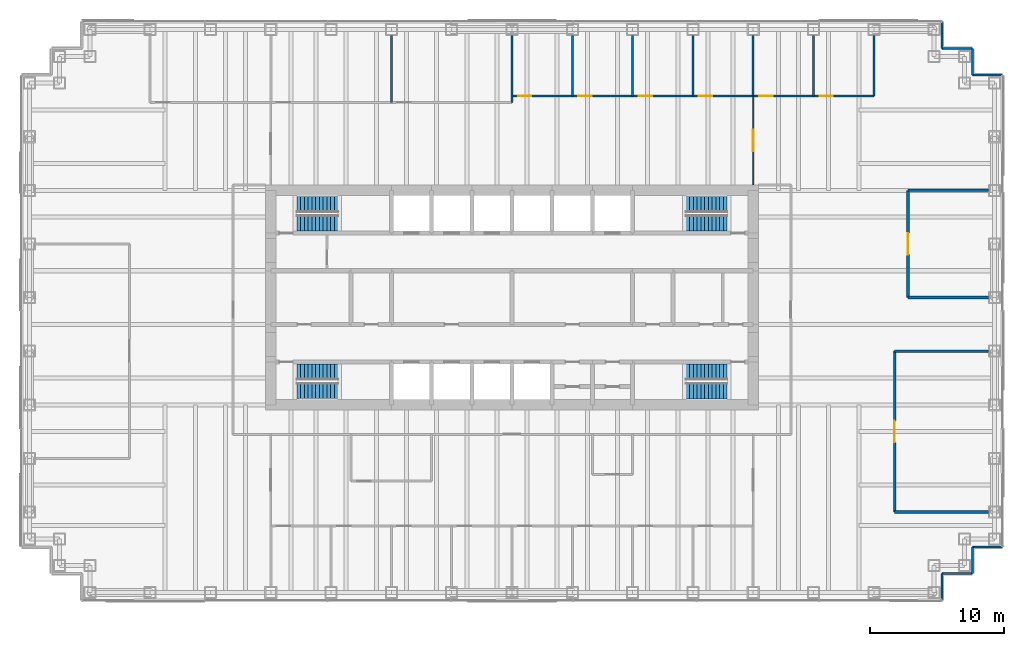
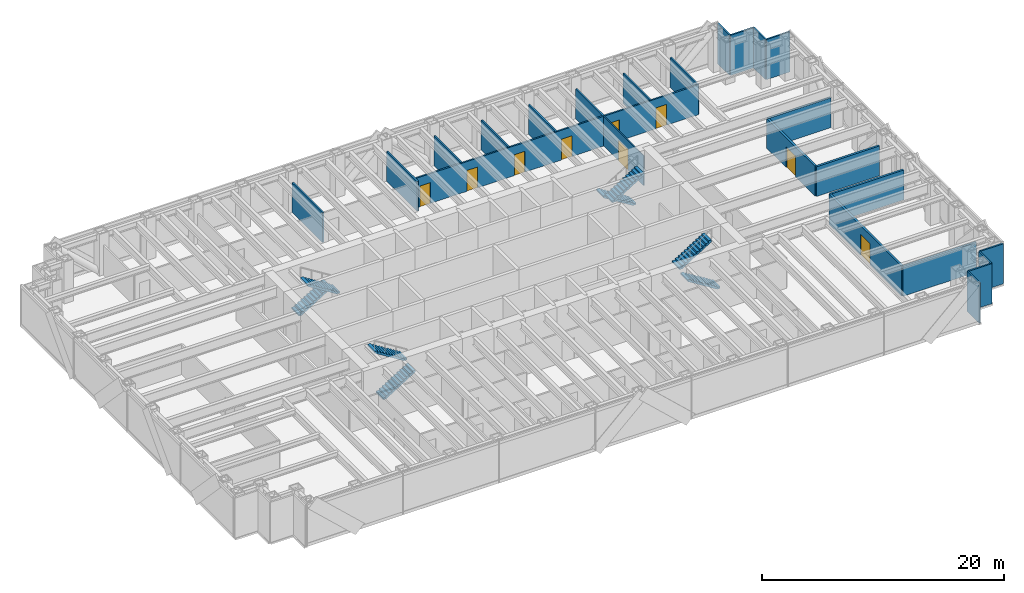
# One storey, part 13 of 14: 24 walls, 9 doors, 8 stair flights, 9 openings, 4 elements without a shape of their own.
"""IFC4 building model written with IfcOpenShell, lengths in metres."""

from ifc_helpers import new_model, si_unit, direction, frame, frame_2d, origin, place, context, subcontext, project, spatial, polyline, rectangle, outline, extrude, material, layer, layer_set, type_object, element, fill, aggregate, save


model = new_model("IFC4")

# Units and contexts
model_context = context("Model", 3, precision=1e-05, world=origin(), true_north=direction((0.0, 1.0)))
body_context = subcontext(model_context, "Body", "Model", "MODEL_VIEW")
ifc_project = project(units=[si_unit("LENGTHUNIT", "METRE"), si_unit("AREAUNIT", "SQUARE_METRE"), si_unit("VOLUMEUNIT", "CUBIC_METRE"), si_unit("PLANEANGLEUNIT", "RADIAN"), si_unit("MASSUNIT", "GRAM", prefix="KILO")], contexts=[model_context])

# Site, building, storey
site_placement = place(None, origin())
site = spatial("IfcSite", under=ifc_project, at=site_placement, CompositionType="ELEMENT")
building_placement = place(site_placement, origin())
building = spatial("IfcBuilding", under=site, at=building_placement, Name="Rheinbord Bourse Tower", CompositionType="ELEMENT")
storey_placement = place(building_placement, frame((0.0, 0.0, 211.0)))
storey = spatial("IfcBuildingStorey", under=building, at=storey_placement, Name="L47", CompositionType="ELEMENT", Elevation=211.0)

# Walls
ifc_material_1 = material(Name="Acoustic gypsum board partition", Category="gypsum board")
ifc_layer_1 = layer(ifc_material_1, 0.199951171875)
ifc_layer_set_1 = layer_set([ifc_layer_1], Name="ACOUSTIC PARTITION 200")
wall_type_1 = type_object("IfcWallType", Name="ACOUSTIC PARTITION 200", PredefinedType="PARTITIONING", material=ifc_layer_set_1)
for number, where, z_axis, x_axis, name in (
    (1, (64.550048828125, 8.0, 0.0), (0.0, 0.0, 1.0), (1.0, 0.0, 0.0), "Partition L47-02"),
    (2, (64.550048828125, 20.0, 0.0), (0.0, 0.0, 1.0), (1.0, 0.0, 0.0), "Partition L47-09"),
):
    element("IfcWall", number, at=place(storey_placement, frame(where, z_axis=z_axis, x_axis=x_axis)), inside=storey, type_object=wall_type_1, Name=name, PredefinedType="PARTITIONING", context=body_context, shape_type="SweptSolid", body=[
        extrude(rectangle(XDim=7.0, YDim=0.199951171875, at=frame_2d((3.5, 0.0))), origin(), (0.0, 0.0, 1.0), 3.0),
    ])
for number, where, z_axis, x_axis, name in (
    (3, (65.550048828125, 24.0, 0.0), (0.0, 0.0, 1.0), (1.0, 0.0, 0.0), "Partition L47-10"),
    (4, (65.550048828125, 32.0, 0.0), (0.0, 0.0, 1.0), (1.0, 0.0, 0.0), "Partition L47-12"),
):
    element("IfcWall", number, at=place(storey_placement, frame(where, z_axis=z_axis, x_axis=x_axis)), inside=storey, type_object=wall_type_1, Name=name, PredefinedType="PARTITIONING", context=body_context, shape_type="SweptSolid", body=[
        extrude(rectangle(XDim=6.0, YDim=0.199951171875, at=frame_2d((3.0, 0.0))), origin(), (0.0, 0.0, 1.0), 3.0),
    ])

# Wall, opening, door
wall_1_placement = place(storey_placement, frame((64.550048828125, 8.0, 0.0), z_axis=(0.0, 0.0, 1.0), x_axis=(0.0, 1.0, 0.0)))
wall_1 = element("IfcWall", 5, at=wall_1_placement, inside=storey, type_object=wall_type_1, Name="Partition L47-47", PredefinedType="PARTITIONING", context=body_context, shape_type="SweptSolid", body=[
    extrude(rectangle(XDim=12.0, YDim=0.199951171875, at=frame_2d((6.0, 0.0))), origin(), (0.0, 0.0, 1.0), 3.0),
])
opening_1_placement = place(wall_1_placement, frame((5.199951171875, 0.0, 0.0)))
opening_1 = element("IfcOpeningElement", 6, at=opening_1_placement, cuts=wall_1, Name="Opening 47D11", PredefinedType="OPENING", context=body_context, shape_type="SweptSolid", body=[
    extrude(rectangle(XDim=1.60009765625, YDim=2.10009765625, at=frame_2d((0.800048828125, 1.050048828125))), frame((0.0, 0.10986328125, 0.0), z_axis=(0.0, -1.0, 0.0), x_axis=(1.0, 0.0, 0.0)), (0.0, 0.0, 1.0), 0.219970703125),
])
ifc_material_2 = material(Name="Timber door", Category="wood")
door_type_1 = type_object("IfcDoorType", Name="DOUBLE ROOM DOOR 1600", OperationType="DOUBLE_DOOR_DOUBLE_SWING", PredefinedType="DOOR", material=ifc_material_2)
door_1_placement = place(opening_1_placement, origin())
door_1 = element("IfcDoor", 7, at=door_1_placement, inside=storey, type_object=door_type_1, Name="Conference room door L47", OperationType="SINGLE_SWING_LEFT", OverallHeight=2.10009765625, OverallWidth=1.60009765625, PredefinedType="DOOR", context=body_context, shape_type="SweptSolid", body=[
    extrude(rectangle(XDim=1.60009765625, YDim=2.10009765625, at=frame_2d((0.800048828125, 1.050048828125))), frame((0.0, 0.02490234375, 0.0), z_axis=(0.0, -1.0, 0.0), x_axis=(1.0, 0.0, 0.0)), (0.0, 0.0, 1.0), 0.050048828125),
])
fill(opening_1, door_1)

wall_2_placement = place(storey_placement, frame((65.550048828125, 24.0, 0.0), z_axis=(0.0, 0.0, 1.0), x_axis=(0.0, 1.0, 0.0)))
wall_2 = element("IfcWall", 8, at=wall_2_placement, inside=storey, type_object=wall_type_1, Name="Partition L47-48", PredefinedType="PARTITIONING", context=body_context, shape_type="SweptSolid", body=[
    extrude(rectangle(XDim=8.0, YDim=0.199951171875, at=frame_2d((4.0, 0.0))), origin(), (0.0, 0.0, 1.0), 3.0),
])
opening_2_placement = place(wall_2_placement, frame((3.199951171875, 0.0, 0.0)))
opening_2 = element("IfcOpeningElement", 9, at=opening_2_placement, cuts=wall_2, Name="Opening 47D13", PredefinedType="OPENING", context=body_context, shape_type="SweptSolid", body=[
    extrude(rectangle(XDim=1.60009765625, YDim=2.10009765625, at=frame_2d((0.800048828125, 1.050048828125))), frame((0.0, 0.10986328125, 0.0), z_axis=(0.0, -1.0, 0.0), x_axis=(1.0, 0.0, 0.0)), (0.0, 0.0, 1.0), 0.219970703125),
])
door_2_placement = place(opening_2_placement, origin())
door_2 = element("IfcDoor", 10, at=door_2_placement, inside=storey, type_object=door_type_1, Name="Conference room door L47", OperationType="SINGLE_SWING_LEFT", OverallHeight=2.10009765625, OverallWidth=1.60009765625, PredefinedType="DOOR", context=body_context, shape_type="SweptSolid", body=[
    extrude(rectangle(XDim=1.60009765625, YDim=2.10009765625, at=frame_2d((0.800048828125, 1.050048828125))), frame((0.0, 0.02490234375, 0.0), z_axis=(0.0, -1.0, 0.0), x_axis=(1.0, 0.0, 0.0)), (0.0, 0.0, 1.0), 0.050048828125),
])
fill(opening_2, door_2)

# Walls
ifc_material_3 = material(Name="Black metal rainscreen panel", Category="aluminium")
ifc_layer_2 = layer(ifc_material_3, 0.14990234375)
ifc_layer_set_2 = layer_set([ifc_layer_2], Name="CORNER PIER CLADDING 150")
wall_type_2 = type_object("IfcWallType", Name="CORNER PIER CLADDING 150", PredefinedType="ELEMENTEDWALL", material=ifc_layer_set_2)
wall_3_placement = place(storey_placement, frame((68.10009765625, 1.39990234375, 0.0), z_axis=(0.0, 0.0, 1.0), x_axis=(0.0, 1.0, 0.0)))
element("IfcWall", 11, at=wall_3_placement, inside=storey, type_object=wall_type_2, Name="Corner pier cladding L47 2", PredefinedType="ELEMENTEDWALL", context=body_context, shape_type="SweptSolid", body=[
    extrude(rectangle(XDim=2.0, YDim=0.14990234375, at=frame_2d((1.0, 0.0))), origin(), (0.0, 0.0, 1.0), 4.0400390625),
])
wall_4_placement = place(storey_placement, frame((68.10009765625, 3.39990234375, 0.0), z_axis=(0.0, 0.0, 1.0), x_axis=(1.0, 0.0, 0.0)))
element("IfcWall", 12, at=wall_4_placement, inside=storey, type_object=wall_type_2, Name="Corner pier cladding L47 3", PredefinedType="ELEMENTEDWALL", context=body_context, shape_type="SweptSolid", body=[
    extrude(rectangle(XDim=2.25, YDim=0.14990234375, at=frame_2d((1.125, 0.0))), origin(), (0.0, 0.0, 1.0), 4.0400390625),
])
wall_5_placement = place(storey_placement, frame((70.35009765625, 3.39990234375, 0.0), z_axis=(0.0, 0.0, 1.0), x_axis=(0.0, 1.0, 0.0)))
element("IfcWall", 13, at=wall_5_placement, inside=storey, type_object=wall_type_2, Name="Corner pier cladding L47 4", PredefinedType="ELEMENTEDWALL", context=body_context, shape_type="SweptSolid", body=[
    extrude(rectangle(XDim=2.0, YDim=0.14990234375, at=frame_2d((1.0, 0.0))), origin(), (0.0, 0.0, 1.0), 4.0400390625),
])
for number, where, z_axis, x_axis, name in (
    (14, (70.35009765625, 5.39990234375, 0.0), (0.0, 0.0, 1.0), (1.0, 0.0, 0.0), "Corner pier cladding L47 5"),
    (15, (72.60009765625, 40.60009765625, 0.0), (0.0, 0.0, 1.0), (-1.0, 0.0, 0.0), "Corner pier cladding L47 7"),
):
    element("IfcWall", number, at=place(storey_placement, frame(where, z_axis=z_axis, x_axis=x_axis)), inside=storey, type_object=wall_type_2, Name=name, PredefinedType="ELEMENTEDWALL", context=body_context, shape_type="SweptSolid", body=[
        extrude(rectangle(XDim=2.25, YDim=0.14990234375, at=frame_2d((1.125, 0.0))), origin(), (0.0, 0.0, 1.0), 4.0400390625),
    ])
wall_6_placement = place(storey_placement, frame((70.35009765625, 40.60009765625, 0.0), z_axis=(0.0, 0.0, 1.0), x_axis=(0.0, 1.0, 0.0)))
element("IfcWall", 16, at=wall_6_placement, inside=storey, type_object=wall_type_2, Name="Corner pier cladding L47 8", PredefinedType="ELEMENTEDWALL", context=body_context, shape_type="SweptSolid", body=[
    extrude(rectangle(XDim=2.0, YDim=0.14990234375, at=frame_2d((1.0, 0.0))), origin(), (0.0, 0.0, 1.0), 4.0400390625),
])
wall_7_placement = place(storey_placement, frame((70.35009765625, 42.60009765625, 0.0), z_axis=(0.0, 0.0, 1.0), x_axis=(-1.0, 0.0, 0.0)))
element("IfcWall", 17, at=wall_7_placement, inside=storey, type_object=wall_type_2, Name="Corner pier cladding L47 9", PredefinedType="ELEMENTEDWALL", context=body_context, shape_type="SweptSolid", body=[
    extrude(rectangle(XDim=2.25, YDim=0.14990234375, at=frame_2d((1.125, 0.0))), origin(), (0.0, 0.0, 1.0), 4.0400390625),
])
wall_8_placement = place(storey_placement, frame((68.10009765625, 42.60009765625, 0.0), z_axis=(0.0, 0.0, 1.0), x_axis=(0.0, 1.0, 0.0)))
element("IfcWall", 18, at=wall_8_placement, inside=storey, type_object=wall_type_2, Name="Corner pier cladding L47 10", PredefinedType="ELEMENTEDWALL", context=body_context, shape_type="SweptSolid", body=[
    extrude(rectangle(XDim=2.0, YDim=0.14990234375, at=frame_2d((1.0, 0.0))), origin(), (0.0, 0.0, 1.0), 4.0400390625),
])

# Wall, opening, door
ifc_material_4 = material(Name="Toughened laminated glass partition", Category="glass")
ifc_layer_3 = layer(ifc_material_4, 0.10009765625)
ifc_layer_set_3 = layer_set([ifc_layer_3], Name="GLAZED PARTITION 100")
wall_type_3 = type_object("IfcWallType", Name="GLAZED PARTITION 100", PredefinedType="PARTITIONING", material=ifc_layer_set_3)
wall_9_placement = place(storey_placement, frame((54.0, 32.39990234375, 0.0), z_axis=(0.0, 0.0, 1.0), x_axis=(0.0, 1.0, 0.0)))
wall_9 = element("IfcWall", 19, at=wall_9_placement, inside=storey, type_object=wall_type_3, Name="Partition L47-42", PredefinedType="PARTITIONING", context=body_context, shape_type="SweptSolid", body=[
    extrude(rectangle(XDim=6.650146484375, YDim=0.10009765625, at=frame_2d((3.3251953125, 0.0))), origin(), (0.0, 0.0, 1.0), 3.0),
])
opening_3_placement = place(wall_9_placement, frame((2.52490234375, 0.0, 0.0)))
opening_3 = element("IfcOpeningElement", 20, at=opening_3_placement, cuts=wall_9, Name="Opening 47D26", PredefinedType="OPENING", context=body_context, shape_type="SweptSolid", body=[
    extrude(rectangle(XDim=1.60009765625, YDim=2.10009765625, at=frame_2d((0.800048828125, 1.050048828125))), frame((0.0, 0.06005859375, 0.0), z_axis=(0.0, -1.0, 0.0), x_axis=(1.0, 0.0, 0.0)), (0.0, 0.0, 1.0), 0.1201171875),
])
door_3_placement = place(opening_3_placement, origin())
door_3 = element("IfcDoor", 21, at=door_3_placement, inside=storey, type_object=door_type_1, Name="Open area door L47", OperationType="SINGLE_SWING_LEFT", OverallHeight=2.10009765625, OverallWidth=1.60009765625, PredefinedType="DOOR", context=body_context, shape_type="SweptSolid", body=[
    extrude(rectangle(XDim=1.60009765625, YDim=2.10009765625, at=frame_2d((0.800048828125, 1.050048828125))), frame((0.0, 0.02490234375, 0.0), z_axis=(0.0, -1.0, 0.0), x_axis=(1.0, 0.0, 0.0)), (0.0, 0.0, 1.0), 0.050048828125),
])
fill(opening_3, door_3)

# Wall, openings, doors
ifc_material_5 = material(Name="Gypsum board partition", Category="gypsum board")
ifc_layer_4 = layer(ifc_material_5, 0.14990234375)
ifc_layer_set_4 = layer_set([ifc_layer_4], Name="PARTITION 150")
wall_type_4 = type_object("IfcWallType", Name="PARTITION 150", PredefinedType="PARTITIONING", material=ifc_layer_set_4)
wall_10_placement = place(storey_placement, frame((36.0, 39.050048828125, 0.0), z_axis=(0.0, 0.0, 1.0), x_axis=(1.0, 0.0, 0.0)))
wall_10 = element("IfcWall", 22, at=wall_10_placement, inside=storey, type_object=wall_type_4, Name="Partition L47-16", PredefinedType="PARTITIONING", context=body_context, shape_type="SweptSolid", body=[
    extrude(rectangle(XDim=27.0, YDim=0.14990234375, at=frame_2d((13.5, 0.0))), origin(), (0.0, 0.0, 1.0), 3.0),
])
opening_4_placement = place(wall_10_placement, frame((0.449951171875, 0.0, 0.0)))
opening_4 = element("IfcOpeningElement", 23, at=opening_4_placement, cuts=wall_10, Name="Opening 47D17", PredefinedType="OPENING", context=body_context, shape_type="SweptSolid", body=[
    extrude(rectangle(XDim=1.0, YDim=2.10009765625, at=frame_2d((0.5, 1.050048828125))), frame((0.0, 0.0849609375, 0.0), z_axis=(0.0, -1.0, 0.0), x_axis=(1.0, 0.0, 0.0)), (0.0, 0.0, 1.0), 0.169921875),
])
opening_5_placement = place(wall_10_placement, frame((4.949951171875, 0.0, 0.0)))
opening_5 = element("IfcOpeningElement", 24, at=opening_5_placement, cuts=wall_10, Name="Opening 47D18", PredefinedType="OPENING", context=body_context, shape_type="SweptSolid", body=[
    extrude(rectangle(XDim=1.0, YDim=2.10009765625, at=frame_2d((0.5, 1.050048828125))), frame((0.0, 0.0849609375, 0.0), z_axis=(0.0, -1.0, 0.0), x_axis=(1.0, 0.0, 0.0)), (0.0, 0.0, 1.0), 0.169921875),
])
opening_6_placement = place(wall_10_placement, frame((9.449951171875, 0.0, 0.0)))
opening_6 = element("IfcOpeningElement", 25, at=opening_6_placement, cuts=wall_10, Name="Opening 47D19", PredefinedType="OPENING", context=body_context, shape_type="SweptSolid", body=[
    extrude(rectangle(XDim=1.0, YDim=2.10009765625, at=frame_2d((0.5, 1.050048828125))), frame((0.0, 0.0849609375, 0.0), z_axis=(0.0, -1.0, 0.0), x_axis=(1.0, 0.0, 0.0)), (0.0, 0.0, 1.0), 0.169921875),
])
opening_7_placement = place(wall_10_placement, frame((13.949951171875, 0.0, 0.0)))
opening_7 = element("IfcOpeningElement", 26, at=opening_7_placement, cuts=wall_10, Name="Opening 47D20", PredefinedType="OPENING", context=body_context, shape_type="SweptSolid", body=[
    extrude(rectangle(XDim=1.0, YDim=2.10009765625, at=frame_2d((0.5, 1.050048828125))), frame((0.0, 0.0849609375, 0.0), z_axis=(0.0, -1.0, 0.0), x_axis=(1.0, 0.0, 0.0)), (0.0, 0.0, 1.0), 0.169921875),
])
opening_8_placement = place(wall_10_placement, frame((18.449951171875, 0.0, 0.0)))
opening_8 = element("IfcOpeningElement", 27, at=opening_8_placement, cuts=wall_10, Name="Opening 47D21", PredefinedType="OPENING", context=body_context, shape_type="SweptSolid", body=[
    extrude(rectangle(XDim=1.0, YDim=2.10009765625, at=frame_2d((0.5, 1.050048828125))), frame((0.0, 0.0849609375, 0.0), z_axis=(0.0, -1.0, 0.0), x_axis=(1.0, 0.0, 0.0)), (0.0, 0.0, 1.0), 0.169921875),
])
opening_9_placement = place(wall_10_placement, frame((22.949951171875, 0.0, 0.0)))
opening_9 = element("IfcOpeningElement", 28, at=opening_9_placement, cuts=wall_10, Name="Opening 47D22", PredefinedType="OPENING", context=body_context, shape_type="SweptSolid", body=[
    extrude(rectangle(XDim=1.0, YDim=2.10009765625, at=frame_2d((0.5, 1.050048828125))), frame((0.0, 0.0849609375, 0.0), z_axis=(0.0, -1.0, 0.0), x_axis=(1.0, 0.0, 0.0)), (0.0, 0.0, 1.0), 0.169921875),
])
ifc_material_6 = material(Name="Timber door", Category="wood")
door_type_2 = type_object("IfcDoorType", Name="ROOM DOOR 1000", OperationType="SINGLE_SWING_LEFT", PredefinedType="DOOR", material=ifc_material_6)
door_4_placement = place(opening_4_placement, origin())
door_4 = element("IfcDoor", 29, at=door_4_placement, inside=storey, type_object=door_type_2, Name="Office door L47", OperationType="SINGLE_SWING_LEFT", OverallHeight=2.10009765625, OverallWidth=1.0, PredefinedType="DOOR", context=body_context, shape_type="SweptSolid", body=[
    extrude(rectangle(XDim=1.0, YDim=2.10009765625, at=frame_2d((0.5, 1.050048828125))), frame((0.0, 0.02490234375, 0.0), z_axis=(0.0, -1.0, 0.0), x_axis=(1.0, 0.0, 0.0)), (0.0, 0.0, 1.0), 0.050048828125),
])
fill(opening_4, door_4)
door_5_placement = place(opening_5_placement, origin())
door_5 = element("IfcDoor", 30, at=door_5_placement, inside=storey, type_object=door_type_2, Name="Office door L47", OperationType="SINGLE_SWING_LEFT", OverallHeight=2.10009765625, OverallWidth=1.0, PredefinedType="DOOR", context=body_context, shape_type="SweptSolid", body=[
    extrude(rectangle(XDim=1.0, YDim=2.10009765625, at=frame_2d((0.5, 1.050048828125))), frame((0.0, 0.02490234375, 0.0), z_axis=(0.0, -1.0, 0.0), x_axis=(1.0, 0.0, 0.0)), (0.0, 0.0, 1.0), 0.050048828125),
])
fill(opening_5, door_5)
door_6_placement = place(opening_6_placement, origin())
door_6 = element("IfcDoor", 31, at=door_6_placement, inside=storey, type_object=door_type_2, Name="Office door L47", OperationType="SINGLE_SWING_LEFT", OverallHeight=2.10009765625, OverallWidth=1.0, PredefinedType="DOOR", context=body_context, shape_type="SweptSolid", body=[
    extrude(rectangle(XDim=1.0, YDim=2.10009765625, at=frame_2d((0.5, 1.050048828125))), frame((0.0, 0.02490234375, 0.0), z_axis=(0.0, -1.0, 0.0), x_axis=(1.0, 0.0, 0.0)), (0.0, 0.0, 1.0), 0.050048828125),
])
fill(opening_6, door_6)
door_7_placement = place(opening_7_placement, origin())
door_7 = element("IfcDoor", 32, at=door_7_placement, inside=storey, type_object=door_type_2, Name="Office door L47", OperationType="SINGLE_SWING_RIGHT", OverallHeight=2.10009765625, OverallWidth=1.0, PredefinedType="DOOR", context=body_context, shape_type="SweptSolid", body=[
    extrude(rectangle(XDim=1.0, YDim=2.10009765625, at=frame_2d((0.5, 1.050048828125))), frame((0.0, 0.02490234375, 0.0), z_axis=(0.0, -1.0, 0.0), x_axis=(1.0, 0.0, 0.0)), (0.0, 0.0, 1.0), 0.050048828125),
])
fill(opening_7, door_7)
door_8_placement = place(opening_8_placement, origin())
door_8 = element("IfcDoor", 33, at=door_8_placement, inside=storey, type_object=door_type_2, Name="Office door L47", OperationType="SINGLE_SWING_RIGHT", OverallHeight=2.10009765625, OverallWidth=1.0, PredefinedType="DOOR", context=body_context, shape_type="SweptSolid", body=[
    extrude(rectangle(XDim=1.0, YDim=2.10009765625, at=frame_2d((0.5, 1.050048828125))), frame((0.0, 0.02490234375, 0.0), z_axis=(0.0, -1.0, 0.0), x_axis=(1.0, 0.0, 0.0)), (0.0, 0.0, 1.0), 0.050048828125),
])
fill(opening_8, door_8)
door_9_placement = place(opening_9_placement, origin())
door_9 = element("IfcDoor", 34, at=door_9_placement, inside=storey, type_object=door_type_2, Name="Office door L47", OperationType="SINGLE_SWING_RIGHT", OverallHeight=2.10009765625, OverallWidth=1.0, PredefinedType="DOOR", context=body_context, shape_type="SweptSolid", body=[
    extrude(rectangle(XDim=1.0, YDim=2.10009765625, at=frame_2d((0.5, 1.050048828125))), frame((0.0, 0.02490234375, 0.0), z_axis=(0.0, -1.0, 0.0), x_axis=(1.0, 0.0, 0.0)), (0.0, 0.0, 1.0), 0.050048828125),
])
fill(opening_9, door_9)

# Walls
for number, where, z_axis, x_axis, name in (
    (35, (27.0, 38.550048828125, 0.0), (0.0, 0.0, 1.0), (0.0, 1.0, 0.0), "Partition L47-27"),
    (36, (36.0, 38.550048828125, 0.0), (0.0, 0.0, 1.0), (0.0, 1.0, 0.0), "Partition L47-31"),
):
    element("IfcWall", number, at=place(storey_placement, frame(where, z_axis=z_axis, x_axis=x_axis)), inside=storey, type_object=wall_type_4, Name=name, PredefinedType="PARTITIONING", context=body_context, shape_type="SweptSolid", body=[
        extrude(rectangle(XDim=5.0, YDim=0.14990234375, at=frame_2d((2.5, 0.0))), origin(), (0.0, 0.0, 1.0), 3.0),
    ])
for number, where, z_axis, x_axis, name in (
    (37, (40.5, 39.050048828125, 0.0), (0.0, 0.0, 1.0), (0.0, 1.0, 0.0), "Partition L47-33"),
    (38, (45.0, 39.050048828125, 0.0), (0.0, 0.0, 1.0), (0.0, 1.0, 0.0), "Partition L47-37"),
    (39, (49.5, 39.050048828125, 0.0), (0.0, 0.0, 1.0), (0.0, 1.0, 0.0), "Partition L47-39"),
    (40, (54.0, 39.050048828125, 0.0), (0.0, 0.0, 1.0), (0.0, 1.0, 0.0), "Partition L47-43"),
    (41, (58.5, 39.050048828125, 0.0), (0.0, 0.0, 1.0), (0.0, 1.0, 0.0), "Partition L47-45"),
    (42, (63.0, 39.050048828125, 0.0), (0.0, 0.0, 1.0), (0.0, 1.0, 0.0), "Partition L47-46"),
):
    element("IfcWall", number, at=place(storey_placement, frame(where, z_axis=z_axis, x_axis=x_axis)), inside=storey, type_object=wall_type_4, Name=name, PredefinedType="PARTITIONING", context=body_context, shape_type="SweptSolid", body=[
        extrude(rectangle(XDim=4.5, YDim=0.14990234375, at=frame_2d((2.25, 0.0))), origin(), (0.0, 0.0, 1.0), 3.0),
    ])

# Stair, stair flights
ifc_material_7 = material(Name="Concrete C30/37", Category="concrete")
stair_type = type_object("IfcStairType", Name="CORE STAIR HALF TURN 4200", PredefinedType="HALF_TURN_STAIR", material=ifc_material_7)
stair_1_placement = place(storey_placement, origin())
stair_1 = element("IfcStair", 43, at=stair_1_placement, inside=storey, type_object=stair_type, Name="Stair ST1 L47, type CS6", PredefinedType="HALF_TURN_STAIR")
ifc_material_8 = material(Name="Concrete C30/37", Category="concrete")
stair_flight_type = type_object("IfcStairFlightType", Name="CORE STAIR FLIGHT 1200, 12 RISERS", PredefinedType="STRAIGHT", material=ifc_material_8)
stair_flight_1_placement = place(storey_placement, frame((19.949951171875, 17.050048828125, 0.0), z_axis=(0.0, 0.0, 1.0), x_axis=(1.0, 0.0, 0.0)))
stair_flight_1 = element("IfcStairFlight", 44, at=stair_flight_1_placement, type_object=stair_flight_type, Name="STAIR L47 ST1 F1", NumberOfRisers=12, NumberOfTreads=11, PredefinedType="STRAIGHT", RiserHeight=0.175, TreadLength=0.28, context=body_context, shape_type="SweptSolid", body=[
    extrude(outline(polyline([(0.0, 0.0), (0.0, 0.175048828125), (0.280029296875, 0.175048828125), (0.280029296875, 0.35009765625), (0.56005859375, 0.35009765625), (0.56005859375, 0.52490234375), (0.840087890625, 0.52490234375), (0.840087890625, 0.699951171875), (1.1201171875, 0.699951171875), (1.1201171875, 0.875), (1.39990234375, 0.875), (1.39990234375, 1.050048828125), (1.679931640625, 1.050048828125), (1.679931640625, 1.22509765625), (1.9599609375, 1.22509765625), (1.9599609375, 1.39990234375), (2.239990234375, 1.39990234375), (2.239990234375, 1.574951171875), (2.52001953125, 1.574951171875), (2.52001953125, 1.75), (2.800048828125, 1.75), (2.800048828125, 1.925048828125), (3.080078125, 1.925048828125), (3.080078125, 2.10009765625), (3.080078125, 1.748291015625), (0.28271484375, 0.0), (0.0, 0.0)])), frame((0.0, 0.60009765625, 0.0), z_axis=(0.0, -1.0, 0.0), x_axis=(1.0, 0.0, 0.0)), (0.0, 0.0, 1.0), 1.199951171875),
])
stair_flight_2_placement = place(storey_placement, frame((23.030029296875, 18.449951171875, 2.10009765625), z_axis=(0.0, 0.0, 1.0), x_axis=(-1.0, 0.0, 0.0)))
stair_flight_2 = element("IfcStairFlight", 45, at=stair_flight_2_placement, type_object=stair_flight_type, Name="STAIR L47 ST1 F2", NumberOfRisers=12, NumberOfTreads=11, PredefinedType="STRAIGHT", RiserHeight=0.175, TreadLength=0.28, context=body_context, shape_type="SweptSolid", body=[
    extrude(outline(polyline([(0.0, 0.0), (0.0, 0.175048828125), (0.280029296875, 0.175048828125), (0.280029296875, 0.35009765625), (0.56005859375, 0.35009765625), (0.56005859375, 0.52490234375), (0.840087890625, 0.52490234375), (0.840087890625, 0.699951171875), (1.1201171875, 0.699951171875), (1.1201171875, 0.875), (1.39990234375, 0.875), (1.39990234375, 1.050048828125), (1.679931640625, 1.050048828125), (1.679931640625, 1.22509765625), (1.9599609375, 1.22509765625), (1.9599609375, 1.39990234375), (2.239990234375, 1.39990234375), (2.239990234375, 1.574951171875), (2.52001953125, 1.574951171875), (2.52001953125, 1.75), (2.800048828125, 1.75), (2.800048828125, 1.925048828125), (3.080078125, 1.925048828125), (3.080078125, 2.10009765625), (3.080078125, 1.748291015625), (0.28271484375, 0.0), (0.0, 0.0)])), frame((0.0, 0.60009765625, 0.0), z_axis=(0.0, -1.0, 0.0), x_axis=(1.0, 0.0, 0.0)), (0.0, 0.0, 1.0), 1.199951171875),
])
aggregate(stair_1, [stair_flight_1, stair_flight_2])

stair_2_placement = place(storey_placement, origin())
stair_2 = element("IfcStair", 46, at=stair_2_placement, inside=storey, type_object=stair_type, Name="Stair ST2 L47, type CS6", PredefinedType="HALF_TURN_STAIR")
stair_flight_3_placement = place(storey_placement, frame((19.949951171875, 30.949951171875, 0.0), z_axis=(0.0, 0.0, 1.0), x_axis=(1.0, 0.0, 0.0)))
stair_flight_3 = element("IfcStairFlight", 47, at=stair_flight_3_placement, type_object=stair_flight_type, Name="STAIR L47 ST2 F1", NumberOfRisers=12, NumberOfTreads=11, PredefinedType="STRAIGHT", RiserHeight=0.175, TreadLength=0.28, context=body_context, shape_type="SweptSolid", body=[
    extrude(outline(polyline([(0.0, 0.0), (0.0, 0.175048828125), (0.280029296875, 0.175048828125), (0.280029296875, 0.35009765625), (0.56005859375, 0.35009765625), (0.56005859375, 0.52490234375), (0.840087890625, 0.52490234375), (0.840087890625, 0.699951171875), (1.1201171875, 0.699951171875), (1.1201171875, 0.875), (1.39990234375, 0.875), (1.39990234375, 1.050048828125), (1.679931640625, 1.050048828125), (1.679931640625, 1.22509765625), (1.9599609375, 1.22509765625), (1.9599609375, 1.39990234375), (2.239990234375, 1.39990234375), (2.239990234375, 1.574951171875), (2.52001953125, 1.574951171875), (2.52001953125, 1.75), (2.800048828125, 1.75), (2.800048828125, 1.925048828125), (3.080078125, 1.925048828125), (3.080078125, 2.10009765625), (3.080078125, 1.748291015625), (0.28271484375, 0.0), (0.0, 0.0)])), frame((0.0, 0.60009765625, 0.0), z_axis=(0.0, -1.0, 0.0), x_axis=(1.0, 0.0, 0.0)), (0.0, 0.0, 1.0), 1.199951171875),
])
stair_flight_4_placement = place(storey_placement, frame((23.030029296875, 29.550048828125, 2.10009765625), z_axis=(0.0, 0.0, 1.0), x_axis=(-1.0, 0.0, 0.0)))
stair_flight_4 = element("IfcStairFlight", 48, at=stair_flight_4_placement, type_object=stair_flight_type, Name="STAIR L47 ST2 F2", NumberOfRisers=12, NumberOfTreads=11, PredefinedType="STRAIGHT", RiserHeight=0.175, TreadLength=0.28, context=body_context, shape_type="SweptSolid", body=[
    extrude(outline(polyline([(0.0, 0.0), (0.0, 0.175048828125), (0.280029296875, 0.175048828125), (0.280029296875, 0.35009765625), (0.56005859375, 0.35009765625), (0.56005859375, 0.52490234375), (0.840087890625, 0.52490234375), (0.840087890625, 0.699951171875), (1.1201171875, 0.699951171875), (1.1201171875, 0.875), (1.39990234375, 0.875), (1.39990234375, 1.050048828125), (1.679931640625, 1.050048828125), (1.679931640625, 1.22509765625), (1.9599609375, 1.22509765625), (1.9599609375, 1.39990234375), (2.239990234375, 1.39990234375), (2.239990234375, 1.574951171875), (2.52001953125, 1.574951171875), (2.52001953125, 1.75), (2.800048828125, 1.75), (2.800048828125, 1.925048828125), (3.080078125, 1.925048828125), (3.080078125, 2.10009765625), (3.080078125, 1.748291015625), (0.28271484375, 0.0), (0.0, 0.0)])), frame((0.0, 0.60009765625, 0.0), z_axis=(0.0, -1.0, 0.0), x_axis=(1.0, 0.0, 0.0)), (0.0, 0.0, 1.0), 1.199951171875),
])
aggregate(stair_2, [stair_flight_3, stair_flight_4])

stair_3_placement = place(storey_placement, origin())
stair_3 = element("IfcStair", 49, at=stair_3_placement, inside=storey, type_object=stair_type, Name="Stair ST3 L47, type CS6", PredefinedType="HALF_TURN_STAIR")
stair_flight_5_placement = place(storey_placement, frame((52.050048828125, 17.050048828125, 0.0), z_axis=(0.0, 0.0, 1.0), x_axis=(-1.0, 0.0, 0.0)))
stair_flight_5 = element("IfcStairFlight", 50, at=stair_flight_5_placement, type_object=stair_flight_type, Name="STAIR L47 ST3 F1", NumberOfRisers=12, NumberOfTreads=11, PredefinedType="STRAIGHT", RiserHeight=0.175, TreadLength=0.28, context=body_context, shape_type="SweptSolid", body=[
    extrude(outline(polyline([(0.0, 0.0), (0.0, 0.175048828125), (0.280029296875, 0.175048828125), (0.280029296875, 0.35009765625), (0.56005859375, 0.35009765625), (0.56005859375, 0.52490234375), (0.840087890625, 0.52490234375), (0.840087890625, 0.699951171875), (1.1201171875, 0.699951171875), (1.1201171875, 0.875), (1.39990234375, 0.875), (1.39990234375, 1.050048828125), (1.679931640625, 1.050048828125), (1.679931640625, 1.22509765625), (1.9599609375, 1.22509765625), (1.9599609375, 1.39990234375), (2.239990234375, 1.39990234375), (2.239990234375, 1.574951171875), (2.52001953125, 1.574951171875), (2.52001953125, 1.75), (2.800048828125, 1.75), (2.800048828125, 1.925048828125), (3.080078125, 1.925048828125), (3.080078125, 2.10009765625), (3.080078125, 1.748291015625), (0.28271484375, 0.0), (0.0, 0.0)])), frame((0.0, 0.60009765625, 0.0), z_axis=(0.0, -1.0, 0.0), x_axis=(1.0, 0.0, 0.0)), (0.0, 0.0, 1.0), 1.199951171875),
])
stair_flight_6_placement = place(storey_placement, frame((48.969970703125, 18.449951171875, 2.10009765625), z_axis=(0.0, 0.0, 1.0), x_axis=(1.0, 0.0, 0.0)))
stair_flight_6 = element("IfcStairFlight", 51, at=stair_flight_6_placement, type_object=stair_flight_type, Name="STAIR L47 ST3 F2", NumberOfRisers=12, NumberOfTreads=11, PredefinedType="STRAIGHT", RiserHeight=0.175, TreadLength=0.28, context=body_context, shape_type="SweptSolid", body=[
    extrude(outline(polyline([(0.0, 0.0), (0.0, 0.175048828125), (0.280029296875, 0.175048828125), (0.280029296875, 0.35009765625), (0.56005859375, 0.35009765625), (0.56005859375, 0.52490234375), (0.840087890625, 0.52490234375), (0.840087890625, 0.699951171875), (1.1201171875, 0.699951171875), (1.1201171875, 0.875), (1.39990234375, 0.875), (1.39990234375, 1.050048828125), (1.679931640625, 1.050048828125), (1.679931640625, 1.22509765625), (1.9599609375, 1.22509765625), (1.9599609375, 1.39990234375), (2.239990234375, 1.39990234375), (2.239990234375, 1.574951171875), (2.52001953125, 1.574951171875), (2.52001953125, 1.75), (2.800048828125, 1.75), (2.800048828125, 1.925048828125), (3.080078125, 1.925048828125), (3.080078125, 2.10009765625), (3.080078125, 1.748291015625), (0.28271484375, 0.0), (0.0, 0.0)])), frame((0.0, 0.60009765625, 0.0), z_axis=(0.0, -1.0, 0.0), x_axis=(1.0, 0.0, 0.0)), (0.0, 0.0, 1.0), 1.199951171875),
])
aggregate(stair_3, [stair_flight_5, stair_flight_6])

stair_4_placement = place(storey_placement, origin())
stair_4 = element("IfcStair", 52, at=stair_4_placement, inside=storey, type_object=stair_type, Name="Stair ST4 L47, type CS6", PredefinedType="HALF_TURN_STAIR")
stair_flight_7_placement = place(storey_placement, frame((52.050048828125, 30.949951171875, 0.0), z_axis=(0.0, 0.0, 1.0), x_axis=(-1.0, 0.0, 0.0)))
stair_flight_7 = element("IfcStairFlight", 53, at=stair_flight_7_placement, type_object=stair_flight_type, Name="STAIR L47 ST4 F1", NumberOfRisers=12, NumberOfTreads=11, PredefinedType="STRAIGHT", RiserHeight=0.175, TreadLength=0.28, context=body_context, shape_type="SweptSolid", body=[
    extrude(outline(polyline([(0.0, 0.0), (0.0, 0.175048828125), (0.280029296875, 0.175048828125), (0.280029296875, 0.35009765625), (0.56005859375, 0.35009765625), (0.56005859375, 0.52490234375), (0.840087890625, 0.52490234375), (0.840087890625, 0.699951171875), (1.1201171875, 0.699951171875), (1.1201171875, 0.875), (1.39990234375, 0.875), (1.39990234375, 1.050048828125), (1.679931640625, 1.050048828125), (1.679931640625, 1.22509765625), (1.9599609375, 1.22509765625), (1.9599609375, 1.39990234375), (2.239990234375, 1.39990234375), (2.239990234375, 1.574951171875), (2.52001953125, 1.574951171875), (2.52001953125, 1.75), (2.800048828125, 1.75), (2.800048828125, 1.925048828125), (3.080078125, 1.925048828125), (3.080078125, 2.10009765625), (3.080078125, 1.748291015625), (0.28271484375, 0.0), (0.0, 0.0)])), frame((0.0, 0.60009765625, 0.0), z_axis=(0.0, -1.0, 0.0), x_axis=(1.0, 0.0, 0.0)), (0.0, 0.0, 1.0), 1.199951171875),
])
stair_flight_8_placement = place(storey_placement, frame((48.969970703125, 29.550048828125, 2.10009765625), z_axis=(0.0, 0.0, 1.0), x_axis=(1.0, 0.0, 0.0)))
stair_flight_8 = element("IfcStairFlight", 54, at=stair_flight_8_placement, type_object=stair_flight_type, Name="STAIR L47 ST4 F2", NumberOfRisers=12, NumberOfTreads=11, PredefinedType="STRAIGHT", RiserHeight=0.175, TreadLength=0.28, context=body_context, shape_type="SweptSolid", body=[
    extrude(outline(polyline([(0.0, 0.0), (0.0, 0.175048828125), (0.280029296875, 0.175048828125), (0.280029296875, 0.35009765625), (0.56005859375, 0.35009765625), (0.56005859375, 0.52490234375), (0.840087890625, 0.52490234375), (0.840087890625, 0.699951171875), (1.1201171875, 0.699951171875), (1.1201171875, 0.875), (1.39990234375, 0.875), (1.39990234375, 1.050048828125), (1.679931640625, 1.050048828125), (1.679931640625, 1.22509765625), (1.9599609375, 1.22509765625), (1.9599609375, 1.39990234375), (2.239990234375, 1.39990234375), (2.239990234375, 1.574951171875), (2.52001953125, 1.574951171875), (2.52001953125, 1.75), (2.800048828125, 1.75), (2.800048828125, 1.925048828125), (3.080078125, 1.925048828125), (3.080078125, 2.10009765625), (3.080078125, 1.748291015625), (0.28271484375, 0.0), (0.0, 0.0)])), frame((0.0, 0.60009765625, 0.0), z_axis=(0.0, -1.0, 0.0), x_axis=(1.0, 0.0, 0.0)), (0.0, 0.0, 1.0), 1.199951171875),
])
aggregate(stair_4, [stair_flight_7, stair_flight_8])

save(model, "model.ifc")
